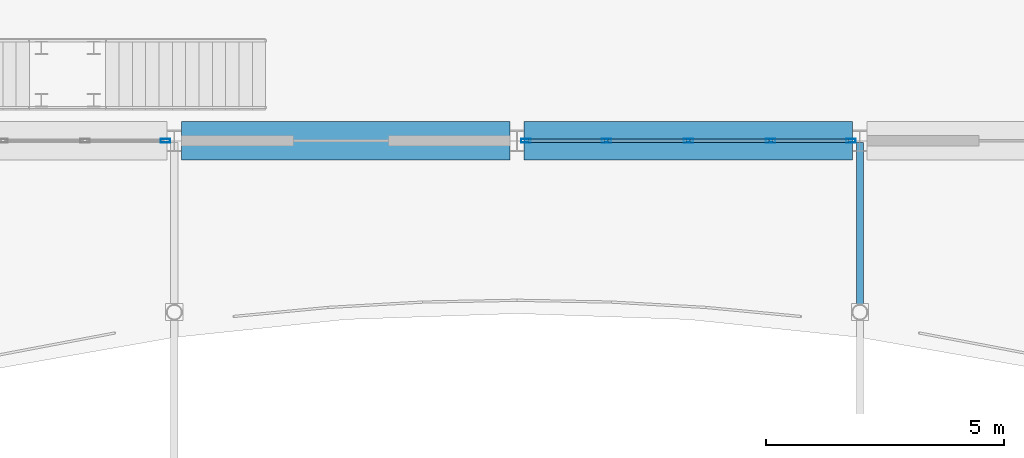
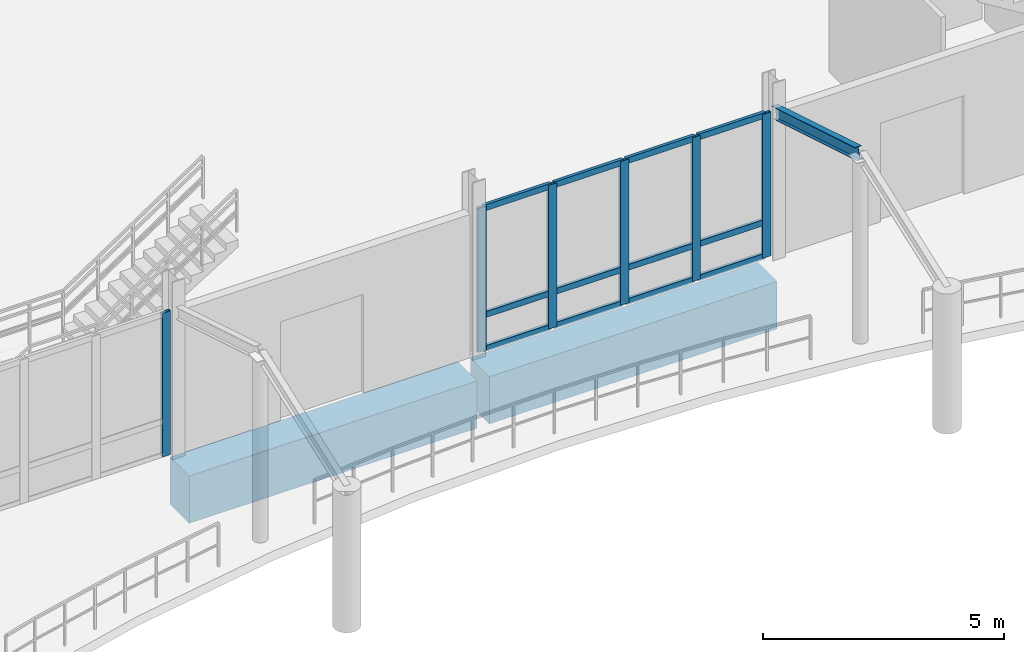
# One storey, part 40 of 139: 18 members, 3 beams, 2 elements without a shape of their own.
"""IFC4 building model written with IfcOpenShell, lengths in metres."""

from ifc_helpers import new_model, si_unit, direction, frame, origin, origin_2d, place, context, subcontext, project, spatial, rectangle, hollow_rectangle, i_section, extrude, material, material_profile, profile_set, type_object, element, aggregate, save


model = new_model("IFC4")

# Units and contexts
model_context = context("Model", 3, precision=1e-05, world=origin(), true_north=direction((0.0, 1.0)))
body_context = subcontext(model_context, "Body", "Model", "MODEL_VIEW")
ifc_project = project(units=[si_unit("LENGTHUNIT", "METRE"), si_unit("AREAUNIT", "SQUARE_METRE"), si_unit("VOLUMEUNIT", "CUBIC_METRE"), si_unit("PLANEANGLEUNIT", "RADIAN"), si_unit("MASSUNIT", "GRAM", prefix="KILO")], contexts=[model_context])

# Site, building, storey
site_placement = place(None, origin())
site = spatial("IfcSite", under=ifc_project, at=site_placement, CompositionType="ELEMENT")
building_placement = place(site_placement, origin())
building = spatial("IfcBuilding", under=site, at=building_placement, Name="Suanplinth Sawtooth Commons", CompositionType="ELEMENT")
storey_placement = place(building_placement, origin())
storey = spatial("IfcBuildingStorey", under=building, at=storey_placement, Name="L00", CompositionType="ELEMENT", Elevation=0.0)

# Beams
ifc_material_1 = material(Name="Concrete C40/50", Category="concrete")
ifc_material_profile_1 = material_profile(ifc_material_1, rectangle(XDim=0.800048828125, YDim=1.199951171875, at=origin_2d()), Name="RC-TG 800x1200")
ifc_profile_set_1 = profile_set([ifc_material_profile_1], Name="Concrete C40/50")
beam_type_1 = type_object("IfcBeamType", Name="B-01", PredefinedType="USERDEFINED", material=ifc_profile_set_1)
for number, where, z_axis, x_axis, name in (
    (1, (79.35009765625, 50.39990234375, -1.010009765625), (1.0, 0.0, 0.0), (0.0, 1.0, 0.0), "BMX-L00-HALL-11-7"),
    (2, (86.550048828125, 50.39990234375, -1.010009765625), (1.0, 0.0, 0.0), (0.0, 1.0, 0.0), "BMX-L00-HALL-12-7"),
):
    element("IfcBeam", number, at=place(storey_placement, frame(where, z_axis=z_axis, x_axis=x_axis)), inside=storey, type_object=beam_type_1, Name=name, ObjectType="GIRDER", PredefinedType="USERDEFINED", context=body_context, shape_type="SweptSolid", body=[
        extrude(rectangle(XDim=0.800048828125, YDim=1.199951171875, at=origin_2d()), origin(), (0.0, 0.0, 1.0), 6.89990234375),
    ])
ifc_material_2 = material(Name="Steel S355JR", Category="steel")
ifc_material_profile_2 = material_profile(ifc_material_2, i_section(OverallWidth=0.14990234375, OverallDepth=0.300048828125, WebThickness=0.007080078125, FlangeThickness=0.0107421875, at=origin_2d()), Name="IPE 300")
ifc_profile_set_2 = profile_set([ifc_material_profile_2], Name="Steel S355JR")
beam_type_2 = type_object("IfcBeamType", Name="B-13", PredefinedType="BEAM", material=ifc_profile_set_2)
beam_placement = place(storey_placement, frame((93.60009765625, 50.320068359375, 3.64990234375), z_axis=(0.0, -0.957135909973, 0.2896391718), x_axis=(1.0, 0.0, 0.0)))
element("IfcBeam", 3, at=beam_placement, inside=storey, type_object=beam_type_2, Name="Metro Portal Rafter N 14", PredefinedType="BEAM", context=body_context, shape_type="SweptSolid", body=[
    extrude(i_section(OverallWidth=0.14990234375, OverallDepth=0.300048828125, WebThickness=0.007080078125, FlangeThickness=0.0107421875, at=origin_2d()), origin(), (0.0, 0.0, 1.0), 3.62548828125),
])

# Curtain wall, member
ifc_material_3 = material(Name="Anodized aluminium and low-E glazing", Category="aluminium")
curtain_wall_type = type_object("IfcCurtainWallType", Name="CW-01", PredefinedType="USERDEFINED", material=ifc_material_3)
curtain_wall_1_placement = place(storey_placement, origin())
curtain_wall_1 = element("IfcCurtainWall", 4, at=curtain_wall_1_placement, inside=storey, type_object=curtain_wall_type, Name="Curtain Wall CW-L00-HALL-S-1", ObjectType="CURTAIN WALL", PredefinedType="USERDEFINED")
ifc_material_4 = material(Name="Anodized aluminium 6063-T6", Category="aluminium")
ifc_material_profile_3 = material_profile(ifc_material_4, hollow_rectangle(XDim=0.074951171875, YDim=0.199951171875, WallThickness=0.0048828125, at=origin_2d()), Name="ALU-MUL 75x200")
ifc_profile_set_3 = profile_set([ifc_material_profile_3], Name="Anodized aluminium 6063-T6")
member_type_1 = type_object("IfcMemberType", Name="M-14", PredefinedType="MULLION", material=ifc_profile_set_3)
member_1_placement = place(storey_placement, frame((79.012451171875, 50.39990234375, 0.0), z_axis=(0.0, 0.0, 1.0), x_axis=(0.0, 1.0, 0.0)))
member_1 = element("IfcMember", 5, at=member_1_placement, type_object=member_type_1, Name="CW-01 mullion 5", PredefinedType="MULLION", context=body_context, shape_type="SweptSolid", body=[
    extrude(hollow_rectangle(XDim=0.074951171875, YDim=0.199951171875, WallThickness=0.0048828125, at=origin_2d()), origin(), (0.0, 0.0, 1.0), 3.64990234375),
])
aggregate(curtain_wall_1, [member_1])

# Curtain wall, members
curtain_wall_2_placement = place(storey_placement, origin())
curtain_wall_2 = element("IfcCurtainWall", 6, at=curtain_wall_2_placement, inside=storey, type_object=curtain_wall_type, Name="Curtain Wall CW-L00-HALL-S-3", ObjectType="CURTAIN WALL", PredefinedType="USERDEFINED")
member_2_placement = place(storey_placement, frame((86.58740234375, 50.39990234375, 0.0), z_axis=(0.0, 0.0, 1.0), x_axis=(0.0, 1.0, 0.0)))
member_2 = element("IfcMember", 7, at=member_2_placement, type_object=member_type_1, Name="CW-01 mullion 1", PredefinedType="MULLION", context=body_context, shape_type="SweptSolid", body=[
    extrude(hollow_rectangle(XDim=0.074951171875, YDim=0.199951171875, WallThickness=0.0048828125, at=origin_2d()), origin(), (0.0, 0.0, 1.0), 3.64990234375),
])
member_3_placement = place(storey_placement, frame((88.27490234375, 50.39990234375, 0.0), z_axis=(0.0, 0.0, 1.0), x_axis=(0.0, 1.0, 0.0)))
member_3 = element("IfcMember", 8, at=member_3_placement, type_object=member_type_1, Name="CW-01 mullion 2", PredefinedType="MULLION", context=body_context, shape_type="SweptSolid", body=[
    extrude(hollow_rectangle(XDim=0.074951171875, YDim=0.199951171875, WallThickness=0.0048828125, at=origin_2d()), origin(), (0.0, 0.0, 1.0), 3.64990234375),
])
member_4_placement = place(storey_placement, frame((90.0, 50.39990234375, 0.0), z_axis=(0.0, 0.0, 1.0), x_axis=(0.0, 1.0, 0.0)))
member_4 = element("IfcMember", 9, at=member_4_placement, type_object=member_type_1, Name="CW-01 mullion 3", PredefinedType="MULLION", context=body_context, shape_type="SweptSolid", body=[
    extrude(hollow_rectangle(XDim=0.074951171875, YDim=0.199951171875, WallThickness=0.0048828125, at=origin_2d()), origin(), (0.0, 0.0, 1.0), 3.64990234375),
])
member_5_placement = place(storey_placement, frame((91.72509765625, 50.39990234375, 0.0), z_axis=(0.0, 0.0, 1.0), x_axis=(0.0, 1.0, 0.0)))
member_5 = element("IfcMember", 10, at=member_5_placement, type_object=member_type_1, Name="CW-01 mullion 4", PredefinedType="MULLION", context=body_context, shape_type="SweptSolid", body=[
    extrude(hollow_rectangle(XDim=0.074951171875, YDim=0.199951171875, WallThickness=0.0048828125, at=origin_2d()), origin(), (0.0, 0.0, 1.0), 3.64990234375),
])
member_6_placement = place(storey_placement, frame((93.41259765625, 50.39990234375, 0.0), z_axis=(0.0, 0.0, 1.0), x_axis=(0.0, 1.0, 0.0)))
member_6 = element("IfcMember", 11, at=member_6_placement, type_object=member_type_1, Name="CW-01 mullion 5", PredefinedType="MULLION", context=body_context, shape_type="SweptSolid", body=[
    extrude(hollow_rectangle(XDim=0.074951171875, YDim=0.199951171875, WallThickness=0.0048828125, at=origin_2d()), origin(), (0.0, 0.0, 1.0), 3.64990234375),
])
ifc_material_profile_4 = material_profile(ifc_material_4, hollow_rectangle(XDim=0.074951171875, YDim=0.14990234375, WallThickness=0.00439453125, at=origin_2d()), Name="ALU-TRN 75x150")
ifc_profile_set_4 = profile_set([ifc_material_profile_4], Name="Anodized aluminium 6063-T6")
member_type_2 = type_object("IfcMemberType", Name="M-16", PredefinedType="USERDEFINED", material=ifc_profile_set_4)
member_7_placement = place(storey_placement, frame((86.625, 50.39990234375, 0.03759765625), z_axis=(1.0, 0.0, 0.0), x_axis=(0.0, 1.0, 0.0)))
member_7 = element("IfcMember", 12, at=member_7_placement, type_object=member_type_2, Name="CW-01 transom 1.1", ObjectType="TRANSOM", PredefinedType="USERDEFINED", context=body_context, shape_type="SweptSolid", body=[
    extrude(hollow_rectangle(XDim=0.074951171875, YDim=0.14990234375, WallThickness=0.00439453125, at=origin_2d()), origin(), (0.0, 0.0, 1.0), 1.612548828125),
])
member_8_placement = place(storey_placement, frame((86.625, 50.39990234375, 0.89990234375), z_axis=(1.0, 0.0, 0.0), x_axis=(0.0, 1.0, 0.0)))
member_8 = element("IfcMember", 13, at=member_8_placement, type_object=member_type_2, Name="CW-01 transom 1.2", ObjectType="TRANSOM", PredefinedType="USERDEFINED", context=body_context, shape_type="SweptSolid", body=[
    extrude(hollow_rectangle(XDim=0.074951171875, YDim=0.14990234375, WallThickness=0.00439453125, at=origin_2d()), origin(), (0.0, 0.0, 1.0), 1.612548828125),
])
member_9_placement = place(storey_placement, frame((86.625, 50.39990234375, 3.612548828125), z_axis=(1.0, 0.0, 0.0), x_axis=(0.0, 1.0, 0.0)))
member_9 = element("IfcMember", 14, at=member_9_placement, type_object=member_type_2, Name="CW-01 transom 1.3", ObjectType="TRANSOM", PredefinedType="USERDEFINED", context=body_context, shape_type="SweptSolid", body=[
    extrude(hollow_rectangle(XDim=0.074951171875, YDim=0.14990234375, WallThickness=0.00439453125, at=origin_2d()), origin(), (0.0, 0.0, 1.0), 1.612548828125),
])
member_10_placement = place(storey_placement, frame((88.3125, 50.39990234375, 0.03759765625), z_axis=(1.0, 0.0, 0.0), x_axis=(0.0, 1.0, 0.0)))
member_10 = element("IfcMember", 15, at=member_10_placement, type_object=member_type_2, Name="CW-01 transom 2.1", ObjectType="TRANSOM", PredefinedType="USERDEFINED", context=body_context, shape_type="SweptSolid", body=[
    extrude(hollow_rectangle(XDim=0.074951171875, YDim=0.14990234375, WallThickness=0.00439453125, at=origin_2d()), origin(), (0.0, 0.0, 1.0), 1.64990234375),
])
member_11_placement = place(storey_placement, frame((88.3125, 50.39990234375, 0.89990234375), z_axis=(1.0, 0.0, 0.0), x_axis=(0.0, 1.0, 0.0)))
member_11 = element("IfcMember", 16, at=member_11_placement, type_object=member_type_2, Name="CW-01 transom 2.2", ObjectType="TRANSOM", PredefinedType="USERDEFINED", context=body_context, shape_type="SweptSolid", body=[
    extrude(hollow_rectangle(XDim=0.074951171875, YDim=0.14990234375, WallThickness=0.00439453125, at=origin_2d()), origin(), (0.0, 0.0, 1.0), 1.64990234375),
])
member_12_placement = place(storey_placement, frame((88.3125, 50.39990234375, 3.612548828125), z_axis=(1.0, 0.0, 0.0), x_axis=(0.0, 1.0, 0.0)))
member_12 = element("IfcMember", 17, at=member_12_placement, type_object=member_type_2, Name="CW-01 transom 2.3", ObjectType="TRANSOM", PredefinedType="USERDEFINED", context=body_context, shape_type="SweptSolid", body=[
    extrude(hollow_rectangle(XDim=0.074951171875, YDim=0.14990234375, WallThickness=0.00439453125, at=origin_2d()), origin(), (0.0, 0.0, 1.0), 1.64990234375),
])
member_13_placement = place(storey_placement, frame((90.03759765625, 50.39990234375, 0.03759765625), z_axis=(1.0, 0.0, 0.0), x_axis=(0.0, 1.0, 0.0)))
member_13 = element("IfcMember", 18, at=member_13_placement, type_object=member_type_2, Name="CW-01 transom 3.1", ObjectType="TRANSOM", PredefinedType="USERDEFINED", context=body_context, shape_type="SweptSolid", body=[
    extrude(hollow_rectangle(XDim=0.074951171875, YDim=0.14990234375, WallThickness=0.00439453125, at=origin_2d()), origin(), (0.0, 0.0, 1.0), 1.64990234375),
])
member_14_placement = place(storey_placement, frame((90.03759765625, 50.39990234375, 0.89990234375), z_axis=(1.0, 0.0, 0.0), x_axis=(0.0, 1.0, 0.0)))
member_14 = element("IfcMember", 19, at=member_14_placement, type_object=member_type_2, Name="CW-01 transom 3.2", ObjectType="TRANSOM", PredefinedType="USERDEFINED", context=body_context, shape_type="SweptSolid", body=[
    extrude(hollow_rectangle(XDim=0.074951171875, YDim=0.14990234375, WallThickness=0.00439453125, at=origin_2d()), origin(), (0.0, 0.0, 1.0), 1.64990234375),
])
member_15_placement = place(storey_placement, frame((90.03759765625, 50.39990234375, 3.612548828125), z_axis=(1.0, 0.0, 0.0), x_axis=(0.0, 1.0, 0.0)))
member_15 = element("IfcMember", 20, at=member_15_placement, type_object=member_type_2, Name="CW-01 transom 3.3", ObjectType="TRANSOM", PredefinedType="USERDEFINED", context=body_context, shape_type="SweptSolid", body=[
    extrude(hollow_rectangle(XDim=0.074951171875, YDim=0.14990234375, WallThickness=0.00439453125, at=origin_2d()), origin(), (0.0, 0.0, 1.0), 1.64990234375),
])
member_16_placement = place(storey_placement, frame((91.762451171875, 50.39990234375, 0.03759765625), z_axis=(1.0, 0.0, 0.0), x_axis=(0.0, 1.0, 0.0)))
member_16 = element("IfcMember", 21, at=member_16_placement, type_object=member_type_2, Name="CW-01 transom 4.1", ObjectType="TRANSOM", PredefinedType="USERDEFINED", context=body_context, shape_type="SweptSolid", body=[
    extrude(hollow_rectangle(XDim=0.074951171875, YDim=0.14990234375, WallThickness=0.00439453125, at=origin_2d()), origin(), (0.0, 0.0, 1.0), 1.612548828125),
])
member_17_placement = place(storey_placement, frame((91.762451171875, 50.39990234375, 0.89990234375), z_axis=(1.0, 0.0, 0.0), x_axis=(0.0, 1.0, 0.0)))
member_17 = element("IfcMember", 22, at=member_17_placement, type_object=member_type_2, Name="CW-01 transom 4.2", ObjectType="TRANSOM", PredefinedType="USERDEFINED", context=body_context, shape_type="SweptSolid", body=[
    extrude(hollow_rectangle(XDim=0.074951171875, YDim=0.14990234375, WallThickness=0.00439453125, at=origin_2d()), origin(), (0.0, 0.0, 1.0), 1.612548828125),
])
member_18_placement = place(storey_placement, frame((91.762451171875, 50.39990234375, 3.612548828125), z_axis=(1.0, 0.0, 0.0), x_axis=(0.0, 1.0, 0.0)))
member_18 = element("IfcMember", 23, at=member_18_placement, type_object=member_type_2, Name="CW-01 transom 4.3", ObjectType="TRANSOM", PredefinedType="USERDEFINED", context=body_context, shape_type="SweptSolid", body=[
    extrude(hollow_rectangle(XDim=0.074951171875, YDim=0.14990234375, WallThickness=0.00439453125, at=origin_2d()), origin(), (0.0, 0.0, 1.0), 1.612548828125),
])
aggregate(curtain_wall_2, [member_2, member_3, member_4, member_5, member_6, member_7, member_8, member_9, member_10, member_11, member_12, member_13, member_14, member_15, member_16, member_17, member_18])

save(model, "model.ifc")
